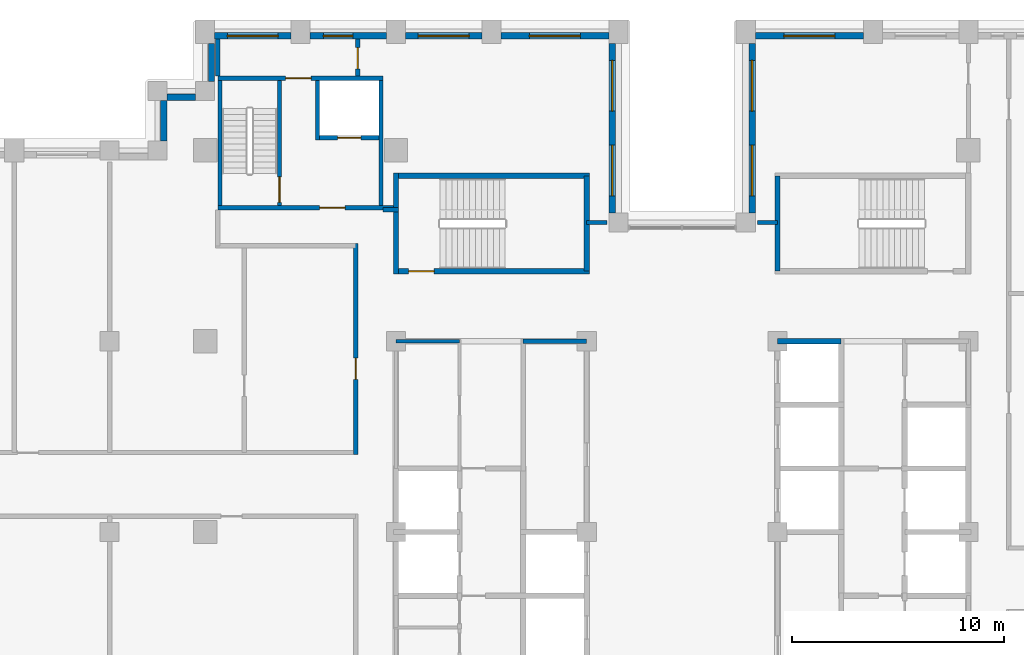
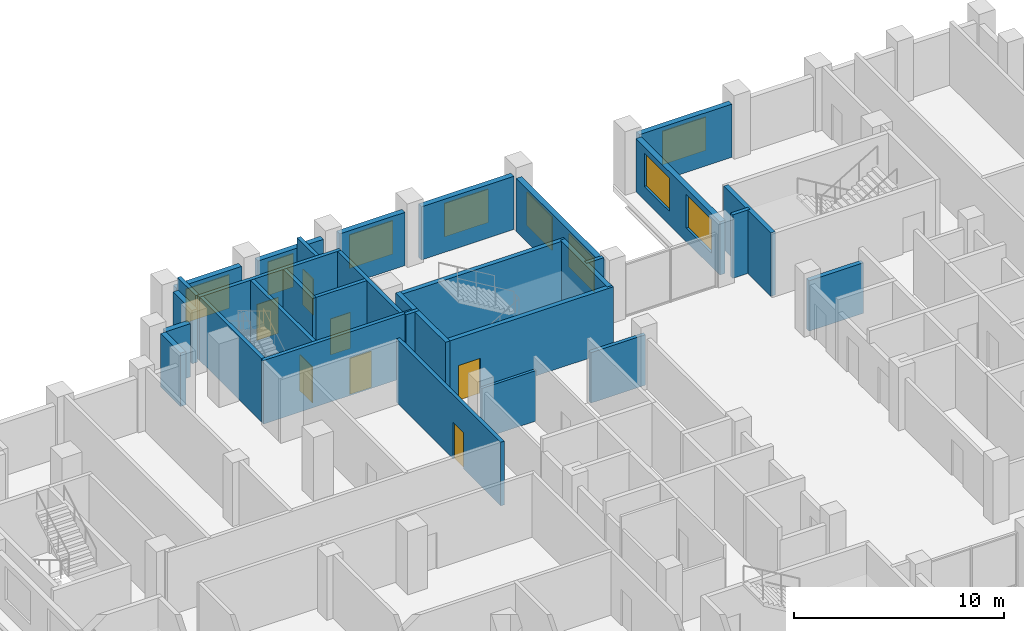
# One storey, part 10 of 15: 31 walls, 9 windows, 7 doors, 16 openings.
"""IFC4 building model written with IfcOpenShell, lengths in metres."""

from ifc_helpers import new_model, si_unit, direction, frame, frame_2d, origin, place, context, subcontext, project, spatial, rectangle, extrude, material, layer, layer_set, type_object, element, fill, save


model = new_model("IFC4")

# Units and contexts
model_context = context("Model", 3, precision=1e-05, world=origin(), true_north=direction((0.0, 1.0)))
body_context = subcontext(model_context, "Body", "Model", "MODEL_VIEW")
ifc_project = project(units=[si_unit("LENGTHUNIT", "METRE"), si_unit("AREAUNIT", "SQUARE_METRE"), si_unit("VOLUMEUNIT", "CUBIC_METRE"), si_unit("PLANEANGLEUNIT", "RADIAN"), si_unit("MASSUNIT", "GRAM", prefix="KILO")], contexts=[model_context])

# Site, building, storey
site_placement = place(None, origin())
site = spatial("IfcSite", under=ifc_project, at=site_placement, CompositionType="ELEMENT")
building_placement = place(site_placement, origin())
building = spatial("IfcBuilding", under=site, at=building_placement, Name="Corbelhall Arena Tower", CompositionType="ELEMENT")
storey_placement = place(building_placement, frame((0.0, 0.0, 166.0)))
storey = spatial("IfcBuildingStorey", under=building, at=storey_placement, Name="L33", CompositionType="ELEMENT", Elevation=166.0)

# Walls
ifc_material_1 = material(Name="Precast concrete C40/50 with granite facing", Category="masonry")
ifc_layer_1 = layer(ifc_material_1, 0.300048828125)
ifc_layer_set_1 = layer_set([ifc_layer_1], Name="EV-IW1 Infill panel 300")
wall_type_1 = type_object("IfcWallType", Name="EV-IW1 Infill panel 300", PredefinedType="SOLIDWALL", material=ifc_layer_set_1)
wall_1_placement = place(storey_placement, frame((-22.199951171875, 23.050048828125, 0.0), z_axis=(0.0, 0.0, 1.0), x_axis=(0.0, -1.0, 0.0)))
element("IfcWall", 1, at=wall_1_placement, inside=storey, type_object=wall_type_1, Name="Infill panel IW1", PredefinedType="SOLIDWALL", context=body_context, shape_type="SweptSolid", body=[
    extrude(rectangle(XDim=1.800048828125, YDim=0.300048828125, at=frame_2d((0.89990234375, 0.0))), origin(), (0.0, 0.0, 1.0), 3.10009765625),
])
wall_2_placement = place(storey_placement, frame((-22.949951171875, 20.5, 0.0), z_axis=(0.0, 0.0, 1.0), x_axis=(-1.0, 0.0, 0.0)))
element("IfcWall", 2, at=wall_2_placement, inside=storey, type_object=wall_type_1, Name="Infill panel IW1", PredefinedType="SOLIDWALL", context=body_context, shape_type="SweptSolid", body=[
    extrude(rectangle(XDim=1.35009765625, YDim=0.300048828125, at=frame_2d((0.675048828125, 0.0))), origin(), (0.0, 0.0, 1.0), 3.10009765625),
])
wall_3_placement = place(storey_placement, frame((-24.449951171875, 20.35009765625, 0.0), z_axis=(0.0, 0.0, 1.0), x_axis=(0.0, -1.0, 0.0)))
element("IfcWall", 3, at=wall_3_placement, inside=storey, type_object=wall_type_1, Name="Infill panel IW1", PredefinedType="SOLIDWALL", context=body_context, shape_type="SweptSolid", body=[
    extrude(rectangle(XDim=1.900146484375, YDim=0.300048828125, at=frame_2d((0.9501953125, 0.0))), origin(), (0.0, 0.0, 1.0), 3.10009765625),
])

# Wall, opening, window
wall_4_placement = place(storey_placement, frame((8.550048828125, 23.39990234375, 0.0), z_axis=(0.0, 0.0, 1.0), x_axis=(-1.0, 0.0, 0.0)))
wall_4 = element("IfcWall", 4, at=wall_4_placement, inside=storey, type_object=wall_type_1, Name="Infill panel IW1", PredefinedType="SOLIDWALL", context=body_context, shape_type="SweptSolid", body=[
    extrude(rectangle(XDim=5.10009765625, YDim=0.300048828125, at=frame_2d((2.550048828125, 0.0))), origin(), (0.0, 0.0, 1.0), 3.10009765625),
])
opening_1_placement = place(wall_4_placement, frame((1.35009765625, 0.0, 0.800048828125)))
opening_1 = element("IfcOpeningElement", 5, at=opening_1_placement, cuts=wall_4, Name="Opening WN1", PredefinedType="OPENING", context=body_context, shape_type="SweptSolid", body=[
    extrude(rectangle(XDim=2.39990234375, YDim=1.949951171875, at=frame_2d((1.199951171875, 0.97509765625))), frame((0.0, 0.14990234375, 0.0), z_axis=(0.0, -1.0, 0.0), x_axis=(1.0, 0.0, 0.0)), (0.0, 0.0, 1.0), 0.300048828125),
])
ifc_material_2 = material(Name="Aluminium black anodised", Category="aluminium")
window_type_1 = type_object("IfcWindowType", Name="EV-WN1 Office window", PartitioningType="SINGLE_PANEL", PredefinedType="WINDOW", material=ifc_material_2)
window_1_placement = place(opening_1_placement, origin())
window_1 = element("IfcWindow", 6, at=window_1_placement, inside=storey, type_object=window_type_1, Name="Window WN1", OverallHeight=1.949951171875, OverallWidth=2.39990234375, PartitioningType="SINGLE_PANEL", PredefinedType="WINDOW", context=body_context, shape_type="SweptSolid", body=[
    extrude(rectangle(XDim=2.39990234375, YDim=1.949951171875, at=frame_2d((1.199951171875, 0.97509765625))), frame((0.0, 0.030029296875, 0.0), z_axis=(0.0, -1.0, 0.0), x_axis=(1.0, 0.0, 0.0)), (0.0, 0.0, 1.0), 0.06005859375),
])
fill(opening_1, window_1)

# Wall, openings, windows
wall_5_placement = place(storey_placement, frame((3.300048828125, 23.050048828125, 0.0), z_axis=(0.0, 0.0, 1.0), x_axis=(0.0, -1.0, 0.0)))
wall_5 = element("IfcWall", 7, at=wall_5_placement, inside=storey, type_object=wall_type_1, Name="Infill panel IW1", PredefinedType="SOLIDWALL", context=body_context, shape_type="SweptSolid", body=[
    extrude(rectangle(XDim=8.0, YDim=0.300048828125, at=frame_2d((4.0, 0.0))), origin(), (0.0, 0.0, 1.0), 3.10009765625),
])
opening_2_placement = place(wall_5_placement, frame((0.800048828125, 0.0, 0.800048828125)))
opening_2 = element("IfcOpeningElement", 8, at=opening_2_placement, cuts=wall_5, Name="Opening WN1", PredefinedType="OPENING", context=body_context, shape_type="SweptSolid", body=[
    extrude(rectangle(XDim=2.39990234375, YDim=1.949951171875, at=frame_2d((1.199951171875, 0.97509765625))), frame((0.0, 0.14990234375, 0.0), z_axis=(0.0, -1.0, 0.0), x_axis=(1.0, 0.0, 0.0)), (0.0, 0.0, 1.0), 0.300048828125),
])
opening_3_placement = place(wall_5_placement, frame((4.800048828125, 0.0, 0.800048828125)))
opening_3 = element("IfcOpeningElement", 9, at=opening_3_placement, cuts=wall_5, Name="Opening WN1", PredefinedType="OPENING", context=body_context, shape_type="SweptSolid", body=[
    extrude(rectangle(XDim=2.39990234375, YDim=1.949951171875, at=frame_2d((1.199951171875, 0.97509765625))), frame((0.0, 0.14990234375, 0.0), z_axis=(0.0, -1.0, 0.0), x_axis=(1.0, 0.0, 0.0)), (0.0, 0.0, 1.0), 0.300048828125),
])
window_2_placement = place(opening_2_placement, origin())
window_2 = element("IfcWindow", 10, at=window_2_placement, inside=storey, type_object=window_type_1, Name="Window WN1", OverallHeight=1.949951171875, OverallWidth=2.39990234375, PartitioningType="SINGLE_PANEL", PredefinedType="WINDOW", context=body_context, shape_type="SweptSolid", body=[
    extrude(rectangle(XDim=2.39990234375, YDim=1.949951171875, at=frame_2d((1.199951171875, 0.97509765625))), frame((0.0, 0.030029296875, 0.0), z_axis=(0.0, -1.0, 0.0), x_axis=(1.0, 0.0, 0.0)), (0.0, 0.0, 1.0), 0.06005859375),
])
fill(opening_2, window_2)
window_3_placement = place(opening_3_placement, origin())
window_3 = element("IfcWindow", 11, at=window_3_placement, inside=storey, type_object=window_type_1, Name="Window WN1", OverallHeight=1.949951171875, OverallWidth=2.39990234375, PartitioningType="SINGLE_PANEL", PredefinedType="WINDOW", context=body_context, shape_type="SweptSolid", body=[
    extrude(rectangle(XDim=2.39990234375, YDim=1.949951171875, at=frame_2d((1.199951171875, 0.97509765625))), frame((0.0, 0.030029296875, 0.0), z_axis=(0.0, -1.0, 0.0), x_axis=(1.0, 0.0, 0.0)), (0.0, 0.0, 1.0), 0.06005859375),
])
fill(opening_3, window_3)

wall_6_placement = place(storey_placement, frame((-3.300048828125, 15.050048828125, 0.0), z_axis=(0.0, 0.0, 1.0), x_axis=(0.0, 1.0, 0.0)))
wall_6 = element("IfcWall", 12, at=wall_6_placement, inside=storey, type_object=wall_type_1, Name="Infill panel IW1", PredefinedType="SOLIDWALL", context=body_context, shape_type="SweptSolid", body=[
    extrude(rectangle(XDim=8.0, YDim=0.300048828125, at=frame_2d((4.0, 0.0))), origin(), (0.0, 0.0, 1.0), 3.10009765625),
])
opening_4_placement = place(wall_6_placement, frame((0.800048828125, 0.0, 0.800048828125)))
opening_4 = element("IfcOpeningElement", 13, at=opening_4_placement, cuts=wall_6, Name="Opening WN1", PredefinedType="OPENING", context=body_context, shape_type="SweptSolid", body=[
    extrude(rectangle(XDim=2.39990234375, YDim=1.949951171875, at=frame_2d((1.199951171875, 0.97509765625))), frame((0.0, 0.14990234375, 0.0), z_axis=(0.0, -1.0, 0.0), x_axis=(1.0, 0.0, 0.0)), (0.0, 0.0, 1.0), 0.300048828125),
])
opening_5_placement = place(wall_6_placement, frame((4.800048828125, 0.0, 0.800048828125)))
opening_5 = element("IfcOpeningElement", 14, at=opening_5_placement, cuts=wall_6, Name="Opening WN1", PredefinedType="OPENING", context=body_context, shape_type="SweptSolid", body=[
    extrude(rectangle(XDim=2.39990234375, YDim=1.949951171875, at=frame_2d((1.199951171875, 0.97509765625))), frame((0.0, 0.14990234375, 0.0), z_axis=(0.0, -1.0, 0.0), x_axis=(1.0, 0.0, 0.0)), (0.0, 0.0, 1.0), 0.300048828125),
])
window_4_placement = place(opening_4_placement, origin())
window_4 = element("IfcWindow", 15, at=window_4_placement, inside=storey, type_object=window_type_1, Name="Window WN1", OverallHeight=1.949951171875, OverallWidth=2.39990234375, PartitioningType="SINGLE_PANEL", PredefinedType="WINDOW", context=body_context, shape_type="SweptSolid", body=[
    extrude(rectangle(XDim=2.39990234375, YDim=1.949951171875, at=frame_2d((1.199951171875, 0.97509765625))), frame((0.0, 0.030029296875, 0.0), z_axis=(0.0, -1.0, 0.0), x_axis=(1.0, 0.0, 0.0)), (0.0, 0.0, 1.0), 0.06005859375),
])
fill(opening_4, window_4)
window_5_placement = place(opening_5_placement, origin())
window_5 = element("IfcWindow", 16, at=window_5_placement, inside=storey, type_object=window_type_1, Name="Window WN1", OverallHeight=1.949951171875, OverallWidth=2.39990234375, PartitioningType="SINGLE_PANEL", PredefinedType="WINDOW", context=body_context, shape_type="SweptSolid", body=[
    extrude(rectangle(XDim=2.39990234375, YDim=1.949951171875, at=frame_2d((1.199951171875, 0.97509765625))), frame((0.0, 0.030029296875, 0.0), z_axis=(0.0, -1.0, 0.0), x_axis=(1.0, 0.0, 0.0)), (0.0, 0.0, 1.0), 0.06005859375),
])
fill(opening_5, window_5)

# Wall, opening, window
wall_7_placement = place(storey_placement, frame((-3.449951171875, 23.39990234375, 0.0), z_axis=(0.0, 0.0, 1.0), x_axis=(-1.0, 0.0, 0.0)))
wall_7 = element("IfcWall", 17, at=wall_7_placement, inside=storey, type_object=wall_type_1, Name="Infill panel IW1", PredefinedType="SOLIDWALL", context=body_context, shape_type="SweptSolid", body=[
    extrude(rectangle(XDim=5.10009765625, YDim=0.300048828125, at=frame_2d((2.550048828125, 0.0))), origin(), (0.0, 0.0, 1.0), 3.10009765625),
])
opening_6_placement = place(wall_7_placement, frame((1.35009765625, 0.0, 0.800048828125)))
opening_6 = element("IfcOpeningElement", 18, at=opening_6_placement, cuts=wall_7, Name="Opening WN1", PredefinedType="OPENING", context=body_context, shape_type="SweptSolid", body=[
    extrude(rectangle(XDim=2.39990234375, YDim=1.949951171875, at=frame_2d((1.199951171875, 0.97509765625))), frame((0.0, 0.14990234375, 0.0), z_axis=(0.0, -1.0, 0.0), x_axis=(1.0, 0.0, 0.0)), (0.0, 0.0, 1.0), 0.300048828125),
])
window_6_placement = place(opening_6_placement, origin())
window_6 = element("IfcWindow", 19, at=window_6_placement, inside=storey, type_object=window_type_1, Name="Window WN1", OverallHeight=1.949951171875, OverallWidth=2.39990234375, PartitioningType="SINGLE_PANEL", PredefinedType="WINDOW", context=body_context, shape_type="SweptSolid", body=[
    extrude(rectangle(XDim=2.39990234375, YDim=1.949951171875, at=frame_2d((1.199951171875, 0.97509765625))), frame((0.0, 0.030029296875, 0.0), z_axis=(0.0, -1.0, 0.0), x_axis=(1.0, 0.0, 0.0)), (0.0, 0.0, 1.0), 0.06005859375),
])
fill(opening_6, window_6)

wall_8_placement = place(storey_placement, frame((-9.449951171875, 23.39990234375, 0.0), z_axis=(0.0, 0.0, 1.0), x_axis=(-1.0, 0.0, 0.0)))
wall_8 = element("IfcWall", 20, at=wall_8_placement, inside=storey, type_object=wall_type_1, Name="Infill panel IW1", PredefinedType="SOLIDWALL", context=body_context, shape_type="SweptSolid", body=[
    extrude(rectangle(XDim=3.60009765625, YDim=0.300048828125, at=frame_2d((1.800048828125, 0.0))), origin(), (0.0, 0.0, 1.0), 3.10009765625),
])
opening_7_placement = place(wall_8_placement, frame((0.60009765625, 0.0, 0.800048828125)))
opening_7 = element("IfcOpeningElement", 21, at=opening_7_placement, cuts=wall_8, Name="Opening WN1", PredefinedType="OPENING", context=body_context, shape_type="SweptSolid", body=[
    extrude(rectangle(XDim=2.39990234375, YDim=1.949951171875, at=frame_2d((1.199951171875, 0.97509765625))), frame((0.0, 0.14990234375, 0.0), z_axis=(0.0, -1.0, 0.0), x_axis=(1.0, 0.0, 0.0)), (0.0, 0.0, 1.0), 0.300048828125),
])
window_7_placement = place(opening_7_placement, origin())
window_7 = element("IfcWindow", 22, at=window_7_placement, inside=storey, type_object=window_type_1, Name="Window WN1", OverallHeight=1.949951171875, OverallWidth=2.39990234375, PartitioningType="SINGLE_PANEL", PredefinedType="WINDOW", context=body_context, shape_type="SweptSolid", body=[
    extrude(rectangle(XDim=2.39990234375, YDim=1.949951171875, at=frame_2d((1.199951171875, 0.97509765625))), frame((0.0, 0.030029296875, 0.0), z_axis=(0.0, -1.0, 0.0), x_axis=(1.0, 0.0, 0.0)), (0.0, 0.0, 1.0), 0.06005859375),
])
fill(opening_7, window_7)

wall_9_placement = place(storey_placement, frame((-13.949951171875, 23.39990234375, 0.0), z_axis=(0.0, 0.0, 1.0), x_axis=(-1.0, 0.0, 0.0)))
wall_9 = element("IfcWall", 23, at=wall_9_placement, inside=storey, type_object=wall_type_1, Name="Infill panel IW1", PredefinedType="SOLIDWALL", context=body_context, shape_type="SweptSolid", body=[
    extrude(rectangle(XDim=3.60009765625, YDim=0.300048828125, at=frame_2d((1.800048828125, 0.0))), origin(), (0.0, 0.0, 1.0), 3.10009765625),
])
opening_8_placement = place(wall_9_placement, frame((1.574951171875, 0.0, 0.800048828125)))
opening_8 = element("IfcOpeningElement", 24, at=opening_8_placement, cuts=wall_9, Name="Opening WN7", PredefinedType="OPENING", context=body_context, shape_type="SweptSolid", body=[
    extrude(rectangle(XDim=1.39990234375, YDim=1.949951171875, at=frame_2d((0.699951171875, 0.97509765625))), frame((0.0, 0.14990234375, 0.0), z_axis=(0.0, -1.0, 0.0), x_axis=(1.0, 0.0, 0.0)), (0.0, 0.0, 1.0), 0.300048828125),
])
window_type_2 = type_object("IfcWindowType", Name="EV-WN7 Office window 1400", PartitioningType="SINGLE_PANEL", PredefinedType="WINDOW", material=ifc_material_2)
window_8_placement = place(opening_8_placement, origin())
window_8 = element("IfcWindow", 25, at=window_8_placement, inside=storey, type_object=window_type_2, Name="Window WN7", OverallHeight=1.949951171875, OverallWidth=1.39990234375, PartitioningType="SINGLE_PANEL", PredefinedType="WINDOW", context=body_context, shape_type="SweptSolid", body=[
    extrude(rectangle(XDim=1.39990234375, YDim=1.949951171875, at=frame_2d((0.699951171875, 0.97509765625))), frame((0.0, 0.030029296875, 0.0), z_axis=(0.0, -1.0, 0.0), x_axis=(1.0, 0.0, 0.0)), (0.0, 0.0, 1.0), 0.06005859375),
])
fill(opening_8, window_8)

wall_10_placement = place(storey_placement, frame((-18.449951171875, 23.39990234375, 0.0), z_axis=(0.0, 0.0, 1.0), x_axis=(-1.0, 0.0, 0.0)))
wall_10 = element("IfcWall", 26, at=wall_10_placement, inside=storey, type_object=wall_type_1, Name="Infill panel IW1", PredefinedType="SOLIDWALL", context=body_context, shape_type="SweptSolid", body=[
    extrude(rectangle(XDim=3.60009765625, YDim=0.300048828125, at=frame_2d((1.800048828125, 0.0))), origin(), (0.0, 0.0, 1.0), 3.10009765625),
])
opening_9_placement = place(wall_10_placement, frame((0.60009765625, 0.0, 0.800048828125)))
opening_9 = element("IfcOpeningElement", 27, at=opening_9_placement, cuts=wall_10, Name="Opening WN1", PredefinedType="OPENING", context=body_context, shape_type="SweptSolid", body=[
    extrude(rectangle(XDim=2.39990234375, YDim=1.949951171875, at=frame_2d((1.199951171875, 0.97509765625))), frame((0.0, 0.14990234375, 0.0), z_axis=(0.0, -1.0, 0.0), x_axis=(1.0, 0.0, 0.0)), (0.0, 0.0, 1.0), 0.300048828125),
])
window_9_placement = place(opening_9_placement, origin())
window_9 = element("IfcWindow", 28, at=window_9_placement, inside=storey, type_object=window_type_1, Name="Window WN1", OverallHeight=1.949951171875, OverallWidth=2.39990234375, PartitioningType="SINGLE_PANEL", PredefinedType="WINDOW", context=body_context, shape_type="SweptSolid", body=[
    extrude(rectangle(XDim=2.39990234375, YDim=1.949951171875, at=frame_2d((1.199951171875, 0.97509765625))), frame((0.0, 0.030029296875, 0.0), z_axis=(0.0, -1.0, 0.0), x_axis=(1.0, 0.0, 0.0)), (0.0, 0.0, 1.0), 0.06005859375),
])
fill(opening_9, window_9)

# Wall
ifc_material_3 = material(Name="Gypsum board on steel stud, acoustic", Category="steel")
ifc_layer_2 = layer(ifc_material_3, 0.199951171875)
ifc_layer_set_2 = layer_set([ifc_layer_2], Name="IN-W-DM200")
wall_type_2 = type_object("IfcWallType", Name="IN-W-DM200", PredefinedType="PARTITIONING", material=ifc_layer_set_2)
wall_11_placement = place(storey_placement, frame((-21.89990234375, 21.5, 0.0), z_axis=(0.0, 0.0, 1.0), x_axis=(0.0, 1.0, 0.0)))
element("IfcWall", 29, at=wall_11_placement, inside=storey, type_object=wall_type_2, Name="Partition 014", PredefinedType="PARTITIONING", context=body_context, shape_type="SweptSolid", body=[
    extrude(rectangle(XDim=1.75, YDim=0.199951171875, at=frame_2d((0.875, 0.0))), origin(), (0.0, 0.0, 1.0), 3.699951171875),
])

# Wall, opening, door
wall_12_placement = place(storey_placement, frame((-15.39990234375, 3.64990234375, 0.0), z_axis=(0.0, 0.0, 1.0), x_axis=(0.0, 1.0, 0.0)))
wall_12 = element("IfcWall", 30, at=wall_12_placement, inside=storey, type_object=wall_type_2, Name="Partition 019", PredefinedType="PARTITIONING", context=body_context, shape_type="SweptSolid", body=[
    extrude(rectangle(XDim=9.9501953125, YDim=0.199951171875, at=frame_2d((4.97509765625, 0.0))), origin(), (0.0, 0.0, 1.0), 3.699951171875),
])
opening_10_placement = place(wall_12_placement, frame((3.550048828125, 0.0, 0.0)))
opening_10 = element("IfcOpeningElement", 31, at=opening_10_placement, cuts=wall_12, Name="Opening 09024", PredefinedType="OPENING", context=body_context, shape_type="SweptSolid", body=[
    extrude(rectangle(XDim=1.0, YDim=2.10009765625, at=frame_2d((0.5, 1.050048828125))), frame((0.0, 0.10009765625, 0.0), z_axis=(0.0, -1.0, 0.0), x_axis=(1.0, 0.0, 0.0)), (0.0, 0.0, 1.0), 0.199951171875),
])
ifc_material_4 = material(Name="Steel door set", Category="steel")
door_type_1 = type_object("IfcDoorType", Name="IN-D-SW100", OperationType="NOTDEFINED", PredefinedType="DOOR", material=ifc_material_4)
door_1_placement = place(opening_10_placement, origin())
door_1 = element("IfcDoor", 32, at=door_1_placement, inside=storey, type_object=door_type_1, Name="Door 024", OperationType="SINGLE_SWING_LEFT", OverallHeight=2.10009765625, OverallWidth=1.0, PredefinedType="DOOR", context=body_context, shape_type="SweptSolid", body=[
    extrude(rectangle(XDim=1.0, YDim=2.10009765625, at=frame_2d((0.5, 1.050048828125))), frame((0.0, 0.02490234375, 0.0), z_axis=(0.0, -1.0, 0.0), x_axis=(1.0, 0.0, 0.0)), (0.0, 0.0, 1.0), 0.050048828125),
])
fill(opening_10, door_1)

wall_13_placement = place(storey_placement, frame((-15.300048828125, 23.25, 0.0), z_axis=(0.0, 0.0, 1.0), x_axis=(0.0, -1.0, 0.0)))
wall_13 = element("IfcWall", 33, at=wall_13_placement, inside=storey, type_object=wall_type_2, Name="Partition 020", PredefinedType="PARTITIONING", context=body_context, shape_type="SweptSolid", body=[
    extrude(rectangle(XDim=1.75, YDim=0.199951171875, at=frame_2d((0.875, 0.0))), origin(), (0.0, 0.0, 1.0), 3.699951171875),
])
opening_11_placement = place(wall_13_placement, frame((0.39990234375, 0.0, 0.0)))
opening_11 = element("IfcOpeningElement", 34, at=opening_11_placement, cuts=wall_13, Name="Opening 09020", PredefinedType="OPENING", context=body_context, shape_type="SweptSolid", body=[
    extrude(rectangle(XDim=1.0, YDim=2.10009765625, at=frame_2d((0.5, 1.050048828125))), frame((0.0, 0.10009765625, 0.0), z_axis=(0.0, -1.0, 0.0), x_axis=(1.0, 0.0, 0.0)), (0.0, 0.0, 1.0), 0.199951171875),
])
door_2_placement = place(opening_11_placement, origin())
door_2 = element("IfcDoor", 35, at=door_2_placement, inside=storey, type_object=door_type_1, Name="Door 020", OperationType="SINGLE_SWING_LEFT", OverallHeight=2.10009765625, OverallWidth=1.0, PredefinedType="DOOR", context=body_context, shape_type="SweptSolid", body=[
    extrude(rectangle(XDim=1.0, YDim=2.10009765625, at=frame_2d((0.5, 1.050048828125))), frame((0.0, 0.02490234375, 0.0), z_axis=(0.0, -1.0, 0.0), x_axis=(1.0, 0.0, 0.0)), (0.0, 0.0, 1.0), 0.050048828125),
])
fill(opening_11, door_2)

# Walls
wall_14_placement = place(storey_placement, frame((-14.10009765625, 15.199951171875, 0.0), z_axis=(0.0, 0.0, 1.0), x_axis=(1.0, 0.0, 0.0)))
element("IfcWall", 36, at=wall_14_placement, inside=storey, type_object=wall_type_2, Name="Partition 021", PredefinedType="PARTITIONING", context=body_context, shape_type="SweptSolid", body=[
    extrude(rectangle(XDim=0.72509765625, YDim=0.199951171875, at=frame_2d((0.362548828125, 0.0))), origin(), (0.0, 0.0, 1.0), 3.699951171875),
])
for number, where, z_axis, x_axis, name in (
    (37, (-4.5, 14.60009765625, 0.0), (0.0, 0.0, 1.0), (1.0, 0.0, 0.0), "Partition 023"),
    (38, (3.550048828125, 14.60009765625, 0.0), (0.0, 0.0, 1.0), (1.0, 0.0, 0.0), "Partition 025"),
):
    element("IfcWall", number, at=place(storey_placement, frame(where, z_axis=z_axis, x_axis=x_axis)), inside=storey, type_object=wall_type_2, Name=name, PredefinedType="PARTITIONING", context=body_context, shape_type="SweptSolid", body=[
        extrude(rectangle(XDim=0.949951171875, YDim=0.199951171875, at=frame_2d((0.47509765625, 0.0))), origin(), (0.0, 0.0, 1.0), 3.699951171875),
    ])

# Wall, opening, door
ifc_material_5 = material(Name="Concrete C40/50", Category="concrete")
ifc_layer_3 = layer(ifc_material_5, 0.199951171875)
ifc_layer_set_3 = layer_set([ifc_layer_3], Name="IN-W-EAR200")
wall_type_3 = type_object("IfcWallType", Name="IN-W-EAR200", PredefinedType="SOLIDWALL", material=ifc_layer_set_3)
wall_15_placement = place(storey_placement, frame((-21.89990234375, 15.300048828125, 0.0), z_axis=(0.0, 0.0, 1.0), x_axis=(1.0, 0.0, 0.0)))
wall_15 = element("IfcWall", 39, at=wall_15_placement, inside=storey, type_object=wall_type_3, Name="Fire service turret wall south", PredefinedType="SOLIDWALL", context=body_context, shape_type="SweptSolid", body=[
    extrude(rectangle(XDim=8.27490234375, YDim=0.199951171875, at=frame_2d((4.137451171875, 0.0))), origin(), (0.0, 0.0, 1.0), 3.699951171875),
])
opening_12_placement = place(wall_15_placement, frame((4.800048828125, 0.0, 0.0)))
opening_12 = element("IfcOpeningElement", 40, at=opening_12_placement, cuts=wall_15, Name="Opening E092", PredefinedType="OPENING", context=body_context, shape_type="SweptSolid", body=[
    extrude(rectangle(XDim=1.199951171875, YDim=2.10009765625, at=frame_2d((0.60009765625, 1.050048828125))), frame((0.0, 0.10009765625, 0.0), z_axis=(0.0, -1.0, 0.0), x_axis=(1.0, 0.0, 0.0)), (0.0, 0.0, 1.0), 0.199951171875),
])
door_type_2 = type_object("IfcDoorType", Name="IN-D-ST120", OperationType="NOTDEFINED", PredefinedType="DOOR", material=ifc_material_4)
door_3_placement = place(opening_12_placement, origin())
door_3 = element("IfcDoor", 41, at=door_3_placement, inside=storey, type_object=door_type_2, Name="Door from fire service lift lobby to circulation", OperationType="SINGLE_SWING_RIGHT", OverallHeight=2.10009765625, OverallWidth=1.199951171875, PredefinedType="DOOR", context=body_context, shape_type="SweptSolid", body=[
    extrude(rectangle(XDim=1.199951171875, YDim=2.10009765625, at=frame_2d((0.60009765625, 1.050048828125))), frame((0.0, 0.02490234375, 0.0), z_axis=(0.0, -1.0, 0.0), x_axis=(1.0, 0.0, 0.0)), (0.0, 0.0, 1.0), 0.050048828125),
])
fill(opening_12, door_3)

wall_16_placement = place(storey_placement, frame((-21.89990234375, 21.39990234375, 0.0), z_axis=(0.0, 0.0, 1.0), x_axis=(1.0, 0.0, 0.0)))
wall_16 = element("IfcWall", 42, at=wall_16_placement, inside=storey, type_object=wall_type_3, Name="Fire service turret wall north", PredefinedType="SOLIDWALL", context=body_context, shape_type="SweptSolid", body=[
    extrude(rectangle(XDim=7.7998046875, YDim=0.199951171875, at=frame_2d((3.89990234375, 0.0))), origin(), (0.0, 0.0, 1.0), 3.699951171875),
])
opening_13_placement = place(wall_16_placement, frame((3.199951171875, 0.0, 0.0)))
opening_13 = element("IfcOpeningElement", 43, at=opening_13_placement, cuts=wall_16, Name="Opening E093", PredefinedType="OPENING", context=body_context, shape_type="SweptSolid", body=[
    extrude(rectangle(XDim=1.199951171875, YDim=2.10009765625, at=frame_2d((0.60009765625, 1.050048828125))), frame((0.0, 0.10009765625, 0.0), z_axis=(0.0, -1.0, 0.0), x_axis=(1.0, 0.0, 0.0)), (0.0, 0.0, 1.0), 0.199951171875),
])
door_4_placement = place(opening_13_placement, origin())
door_4 = element("IfcDoor", 44, at=door_4_placement, inside=storey, type_object=door_type_2, Name="Door from fire service lift lobby to the north gallery", OperationType="SINGLE_SWING_LEFT", OverallHeight=2.10009765625, OverallWidth=1.199951171875, PredefinedType="DOOR", context=body_context, shape_type="SweptSolid", body=[
    extrude(rectangle(XDim=1.199951171875, YDim=2.10009765625, at=frame_2d((0.60009765625, 1.050048828125))), frame((0.0, 0.02490234375, 0.0), z_axis=(0.0, -1.0, 0.0), x_axis=(1.0, 0.0, 0.0)), (0.0, 0.0, 1.0), 0.050048828125),
])
fill(opening_13, door_4)

# Walls
for number, where, z_axis, x_axis, name in (
    (45, (-21.800048828125, 15.39990234375, 0.0), (0.0, 0.0, 1.0), (0.0, 1.0, 0.0), "Fire service turret wall west"),
    (46, (-14.199951171875, 15.39990234375, 0.0), (0.0, 0.0, 1.0), (0.0, 1.0, 0.0), "Fire service turret wall east"),
):
    element("IfcWall", number, at=place(storey_placement, frame(where, z_axis=z_axis, x_axis=x_axis)), inside=storey, type_object=wall_type_3, Name=name, PredefinedType="SOLIDWALL", context=body_context, shape_type="SweptSolid", body=[
        extrude(rectangle(XDim=5.900146484375, YDim=0.199951171875, at=frame_2d((2.9501953125, 0.0))), origin(), (0.0, 0.0, 1.0), 3.699951171875),
    ])

# Wall, opening, door
wall_17_placement = place(storey_placement, frame((-18.989990234375, 15.39990234375, 0.0), z_axis=(0.0, 0.0, 1.0), x_axis=(0.0, 1.0, 0.0)))
wall_17 = element("IfcWall", 47, at=wall_17_placement, inside=storey, type_object=wall_type_3, Name="Fire service turret wall stair", PredefinedType="SOLIDWALL", context=body_context, shape_type="SweptSolid", body=[
    extrude(rectangle(XDim=5.900146484375, YDim=0.199951171875, at=frame_2d((2.9501953125, 0.0))), origin(), (0.0, 0.0, 1.0), 3.699951171875),
])
opening_14_placement = place(wall_17_placement, frame((0.14990234375, 0.0, 0.0)))
opening_14 = element("IfcOpeningElement", 48, at=opening_14_placement, cuts=wall_17, Name="Opening E091", PredefinedType="OPENING", context=body_context, shape_type="SweptSolid", body=[
    extrude(rectangle(XDim=1.199951171875, YDim=2.10009765625, at=frame_2d((0.60009765625, 1.050048828125))), frame((0.0, 0.10009765625, 0.0), z_axis=(0.0, -1.0, 0.0), x_axis=(1.0, 0.0, 0.0)), (0.0, 0.0, 1.0), 0.199951171875),
])
door_5_placement = place(opening_14_placement, origin())
door_5 = element("IfcDoor", 49, at=door_5_placement, inside=storey, type_object=door_type_2, Name="Stair door to fire service lobby", OperationType="SINGLE_SWING_LEFT", OverallHeight=2.10009765625, OverallWidth=1.199951171875, PredefinedType="DOOR", context=body_context, shape_type="SweptSolid", body=[
    extrude(rectangle(XDim=1.199951171875, YDim=2.10009765625, at=frame_2d((0.60009765625, 1.050048828125))), frame((0.0, 0.02490234375, 0.0), z_axis=(0.0, -1.0, 0.0), x_axis=(1.0, 0.0, 0.0)), (0.0, 0.0, 1.0), 0.050048828125),
])
fill(opening_14, door_5)

# Wall
wall_18_placement = place(storey_placement, frame((-17.199951171875, 18.5, 0.0), z_axis=(0.0, 0.0, 1.0), x_axis=(0.0, 1.0, 0.0)))
element("IfcWall", 50, at=wall_18_placement, inside=storey, type_object=wall_type_3, Name="Fire service turret wall hoistway west", PredefinedType="SOLIDWALL", context=body_context, shape_type="SweptSolid", body=[
    extrude(rectangle(XDim=2.800048828125, YDim=0.199951171875, at=frame_2d((1.39990234375, 0.0))), origin(), (0.0, 0.0, 1.0), 3.699951171875),
])

# Wall, opening, door
wall_19_placement = place(storey_placement, frame((-17.10009765625, 18.60009765625, 0.0), z_axis=(0.0, 0.0, 1.0), x_axis=(1.0, 0.0, 0.0)))
wall_19 = element("IfcWall", 51, at=wall_19_placement, inside=storey, type_object=wall_type_3, Name="Fire service turret wall hoistway south", PredefinedType="SOLIDWALL", context=body_context, shape_type="SweptSolid", body=[
    extrude(rectangle(XDim=2.800048828125, YDim=0.199951171875, at=frame_2d((1.39990234375, 0.0))), origin(), (0.0, 0.0, 1.0), 3.699951171875),
])
opening_15_placement = place(wall_19_placement, frame((0.85009765625, 0.0, 0.0)))
opening_15 = element("IfcOpeningElement", 52, at=opening_15_placement, cuts=wall_19, Name="Opening LD", PredefinedType="OPENING", context=body_context, shape_type="SweptSolid", body=[
    extrude(rectangle(XDim=1.10009765625, YDim=2.10009765625, at=frame_2d((0.550048828125, 1.050048828125))), frame((0.0, 0.10009765625, 0.0), z_axis=(0.0, -1.0, 0.0), x_axis=(1.0, 0.0, 0.0)), (0.0, 0.0, 1.0), 0.199951171875),
])
door_type_3 = type_object("IfcDoorType", Name="IN-D-LD110", OperationType="NOTDEFINED", PredefinedType="DOOR", material=ifc_material_4)
door_6_placement = place(opening_15_placement, origin())
door_6 = element("IfcDoor", 53, at=door_6_placement, inside=storey, type_object=door_type_3, Name="Landing door FS1", OperationType="SLIDING_TO_LEFT", OverallHeight=2.10009765625, OverallWidth=1.10009765625, PredefinedType="DOOR", context=body_context, shape_type="SweptSolid", body=[
    extrude(rectangle(XDim=1.10009765625, YDim=2.10009765625, at=frame_2d((0.550048828125, 1.050048828125))), frame((0.0, 0.02490234375, 0.0), z_axis=(0.0, -1.0, 0.0), x_axis=(1.0, 0.0, 0.0)), (0.0, 0.0, 1.0), 0.050048828125),
])
fill(opening_15, door_6)

# Walls
ifc_material_6 = material(Name="Concrete block wall", Category="concrete")
ifc_layer_4 = layer(ifc_material_6, 0.199951171875)
ifc_layer_set_4 = layer_set([ifc_layer_4], Name="IN-W-RS200 under beam 762 mm")
wall_type_4 = type_object("IfcWallType", Name="IN-W-RS200 under beam 762 mm", PredefinedType="SOLIDWALL", material=ifc_layer_set_4)
wall_20_placement = place(storey_placement, frame((-7.5, 9.0, 0.0), z_axis=(0.0, 0.0, 1.0), x_axis=(1.0, 0.0, 0.0)))
element("IfcWall", 54, at=wall_20_placement, inside=storey, type_object=wall_type_4, Name="Partition 047", PredefinedType="SOLIDWALL", context=body_context, shape_type="SweptSolid", body=[
    extrude(rectangle(XDim=3.0, YDim=0.199951171875, at=frame_2d((1.5, 0.0))), origin(), (0.0, 0.0, 1.0), 2.93798828125),
])
ifc_layer_5 = layer(ifc_material_5, 0.25)
ifc_layer_set_5 = layer_set([ifc_layer_5], Name="IN-W-SH250 under beam 762 mm")
wall_type_5 = type_object("IfcWallType", Name="IN-W-SH250 under beam 762 mm", PredefinedType="SOLIDWALL", material=ifc_layer_set_5)
wall_21_placement = place(storey_placement, frame((4.5, 9.0, 0.0), z_axis=(0.0, 0.0, 1.0), x_axis=(1.0, 0.0, 0.0)))
element("IfcWall", 55, at=wall_21_placement, inside=storey, type_object=wall_type_5, Name="Shaft wall 071", PredefinedType="SOLIDWALL", context=body_context, shape_type="SweptSolid", body=[
    extrude(rectangle(XDim=3.0, YDim=0.25, at=frame_2d((1.5, 0.0))), origin(), (0.0, 0.0, 1.0), 2.93798828125),
])

# Wall, opening, door
ifc_layer_6 = layer(ifc_material_5, 0.25)
ifc_layer_set_6 = layer_set([ifc_layer_6], Name="IN-W-ST250")
wall_type_6 = type_object("IfcWallType", Name="IN-W-ST250", PredefinedType="SOLIDWALL", material=ifc_layer_set_6)
wall_22_placement = place(storey_placement, frame((-13.5, 12.300048828125, 0.0), z_axis=(0.0, 0.0, 1.0), x_axis=(1.0, 0.0, 0.0)))
wall_22 = element("IfcWall", 56, at=wall_22_placement, inside=storey, type_object=wall_type_6, Name="Shaft wall 085", PredefinedType="SOLIDWALL", context=body_context, shape_type="SweptSolid", body=[
    extrude(rectangle(XDim=9.125, YDim=0.25, at=frame_2d((4.5625, 0.0))), origin(), (0.0, 0.0, 1.0), 3.699951171875),
])
opening_16_placement = place(wall_22_placement, frame((0.60009765625, 0.0, 0.0)))
opening_16 = element("IfcOpeningElement", 57, at=opening_16_placement, cuts=wall_22, Name="Opening 09012", PredefinedType="OPENING", context=body_context, shape_type="SweptSolid", body=[
    extrude(rectangle(XDim=1.199951171875, YDim=2.10009765625, at=frame_2d((0.60009765625, 1.050048828125))), frame((0.0, 0.125, 0.0), z_axis=(0.0, -1.0, 0.0), x_axis=(1.0, 0.0, 0.0)), (0.0, 0.0, 1.0), 0.25),
])
door_7_placement = place(opening_16_placement, origin())
door_7 = element("IfcDoor", 58, at=door_7_placement, inside=storey, type_object=door_type_2, Name="Door 012", OperationType="SINGLE_SWING_LEFT", OverallHeight=2.10009765625, OverallWidth=1.199951171875, PredefinedType="DOOR", context=body_context, shape_type="SweptSolid", body=[
    extrude(rectangle(XDim=1.199951171875, YDim=2.10009765625, at=frame_2d((0.60009765625, 1.050048828125))), frame((0.0, 0.02490234375, 0.0), z_axis=(0.0, -1.0, 0.0), x_axis=(1.0, 0.0, 0.0)), (0.0, 0.0, 1.0), 0.050048828125),
])
fill(opening_16, door_7)

# Walls
wall_23_placement = place(storey_placement, frame((-13.5, 12.175048828125, 0.0), z_axis=(0.0, 0.0, 1.0), x_axis=(0.0, 1.0, 0.0)))
element("IfcWall", 59, at=wall_23_placement, inside=storey, type_object=wall_type_6, Name="Shaft wall 086", PredefinedType="SOLIDWALL", context=body_context, shape_type="SweptSolid", body=[
    extrude(rectangle(XDim=4.75, YDim=0.25, at=frame_2d((2.375, 0.0))), origin(), (0.0, 0.0, 1.0), 3.699951171875),
])
wall_24_placement = place(storey_placement, frame((-13.5, 16.800048828125, 0.0), z_axis=(0.0, 0.0, 1.0), x_axis=(1.0, 0.0, 0.0)))
element("IfcWall", 60, at=wall_24_placement, inside=storey, type_object=wall_type_6, Name="Shaft wall 087", PredefinedType="SOLIDWALL", context=body_context, shape_type="SweptSolid", body=[
    extrude(rectangle(XDim=9.125, YDim=0.25, at=frame_2d((4.5625, 0.0))), origin(), (0.0, 0.0, 1.0), 3.699951171875),
])
for number, where, z_axis, x_axis, name in (
    (61, (-4.5, 16.800048828125, 0.0), (0.0, 0.0, 1.0), (0.0, -1.0, 0.0), "Shaft wall 090"),
    (62, (4.5, 12.300048828125, 0.0), (0.0, 0.0, 1.0), (0.0, 1.0, 0.0), "Shaft wall 095"),
):
    element("IfcWall", number, at=place(storey_placement, frame(where, z_axis=z_axis, x_axis=x_axis)), inside=storey, type_object=wall_type_6, Name=name, PredefinedType="SOLIDWALL", context=body_context, shape_type="SweptSolid", body=[
        extrude(rectangle(XDim=4.5, YDim=0.25, at=frame_2d((2.25, 0.0))), origin(), (0.0, 0.0, 1.0), 3.699951171875),
    ])
ifc_material_7 = material(Name="Gypsum board on steel stud, moisture resistant", Category="steel")
ifc_layer_7 = layer(ifc_material_7, 0.14990234375)
ifc_layer_set_7 = layer_set([ifc_layer_7], Name="IN-W-WC150 under beam 762 mm")
wall_type_7 = type_object("IfcWallType", Name="IN-W-WC150 under beam 762 mm", PredefinedType="PARTITIONING", material=ifc_layer_set_7)
wall_25_placement = place(storey_placement, frame((-13.5, 9.0, 0.0), z_axis=(0.0, 0.0, 1.0), x_axis=(1.0, 0.0, 0.0)))
element("IfcWall", 63, at=wall_25_placement, inside=storey, type_object=wall_type_7, Name="Partition 109", PredefinedType="PARTITIONING", context=body_context, shape_type="SweptSolid", body=[
    extrude(rectangle(XDim=3.0, YDim=0.14990234375, at=frame_2d((1.5, 0.0))), origin(), (0.0, 0.0, 1.0), 2.93798828125),
])

save(model, "model.ifc")
